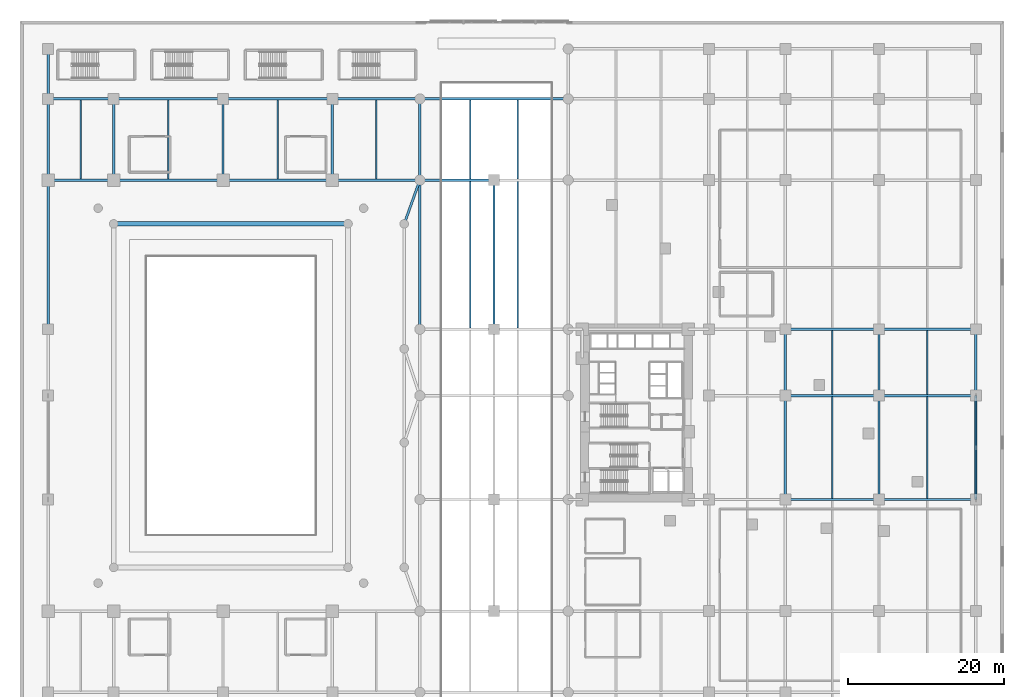
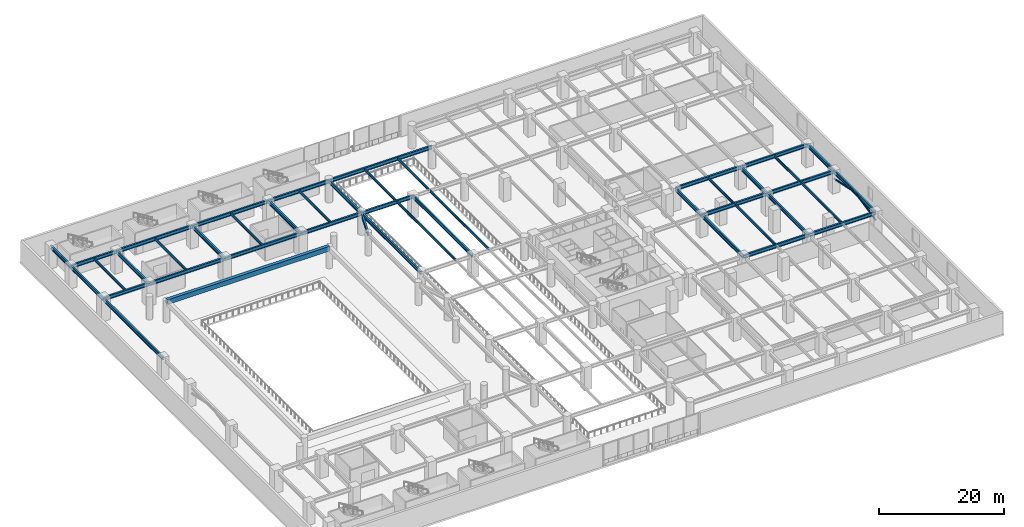
# One storey, part 6 of 32: 45 beams, 2 members.
"""IFC4 building model written with IfcOpenShell, lengths in metres."""

from ifc_helpers import new_model, si_unit, direction, frame, origin, origin_2d, place, context, subcontext, project, spatial, rectangle, hollow_circle, i_section, extrude, material, material_profile, profile_set, type_object, element, save


model = new_model("IFC4")

# Units and contexts
model_context = context("Model", 3, precision=1e-05, world=origin(), true_north=direction((0.0, 1.0)))
body_context = subcontext(model_context, "Body", "Model", "MODEL_VIEW")
ifc_project = project(units=[si_unit("LENGTHUNIT", "METRE"), si_unit("AREAUNIT", "SQUARE_METRE"), si_unit("VOLUMEUNIT", "CUBIC_METRE"), si_unit("PLANEANGLEUNIT", "RADIAN"), si_unit("MASSUNIT", "GRAM", prefix="KILO")], contexts=[model_context])

# Site, building, storey
site_placement = place(None, origin())
site = spatial("IfcSite", under=ifc_project, at=site_placement, CompositionType="ELEMENT")
building_placement = place(site_placement, origin())
building = spatial("IfcBuilding", under=site, at=building_placement, Name="Narakoshi Arena Tower", CompositionType="ELEMENT")
storey_placement = place(building_placement, frame((0.0, 0.0, 4.5)))
storey = spatial("IfcBuildingStorey", under=building, at=storey_placement, Name="L01", CompositionType="ELEMENT", Elevation=4.5)

# Beams
ifc_material_1 = material(Name="Structural steel S355J2", Category="steel")
ifc_material_profile_1 = material_profile(ifc_material_1, i_section(OverallWidth=0.300048828125, OverallDepth=0.699951171875, WebThickness=0.01708984375, FlangeThickness=0.031982421875, FilletRadius=0.027099609375, at=origin_2d()), Name="HE700B")
ifc_profile_set_1 = profile_set([ifc_material_profile_1], Name="Structural steel S355J2")
beam_type_1 = type_object("IfcBeamType", Name="BM-PRI-700", PredefinedType="BEAM", material=ifc_profile_set_1)
beam_1_placement = place(storey_placement, frame((49.199951171875, 70.0, 3.830078125), z_axis=(0.336331195321, 0.94174376932, 0.0), x_axis=(-0.94174376932, 0.336331195321, 0.0)))
element("IfcBeam", 1, at=beam_1_placement, inside=storey, type_object=beam_type_1, Name="L01 Arena Foyer Tie Beam 04", PredefinedType="BEAM", context=body_context, shape_type="SweptSolid", body=[
    extrude(i_section(OverallWidth=0.300048828125, OverallDepth=0.699951171875, WebThickness=0.01708984375, FlangeThickness=0.031982421875, FilletRadius=0.027099609375, at=origin_2d()), origin(), (0.0, 0.0, 1.0), 5.946533203125),
])
beam_2_placement = place(storey_placement, frame((98.0, 34.699951171875, 3.830078125), z_axis=(1.0, 0.0, 0.0), x_axis=(0.0, 1.0, 0.0)))
element("IfcBeam", 2, at=beam_2_placement, inside=storey, type_object=beam_type_1, Name="L01 Podium Primary X-Girder 029", PredefinedType="BEAM", context=body_context, shape_type="SweptSolid", body=[
    extrude(i_section(OverallWidth=0.300048828125, OverallDepth=0.699951171875, WebThickness=0.01708984375, FlangeThickness=0.031982421875, FilletRadius=0.027099609375, at=origin_2d()), origin(), (0.0, 0.0, 1.0), 12.0),
])
beam_3_placement = place(storey_placement, frame((110.0, 34.699951171875, 3.830078125), z_axis=(1.0, 0.0, 0.0), x_axis=(0.0, 1.0, 0.0)))
element("IfcBeam", 3, at=beam_3_placement, inside=storey, type_object=beam_type_1, Name="L01 Podium Primary X-Girder 030", PredefinedType="BEAM", context=body_context, shape_type="SweptSolid", body=[
    extrude(i_section(OverallWidth=0.300048828125, OverallDepth=0.699951171875, WebThickness=0.01708984375, FlangeThickness=0.031982421875, FilletRadius=0.027099609375, at=origin_2d()), origin(), (0.0, 0.0, 1.0), 12.39990234375),
])
beam_4_placement = place(storey_placement, frame((98.0, 48.0, 3.830078125), z_axis=(1.0, 0.0, 0.0), x_axis=(0.0, 1.0, 0.0)))
element("IfcBeam", 4, at=beam_4_placement, inside=storey, type_object=beam_type_1, Name="L01 Podium Primary X-Girder 033", PredefinedType="BEAM", context=body_context, shape_type="SweptSolid", body=[
    extrude(i_section(OverallWidth=0.300048828125, OverallDepth=0.699951171875, WebThickness=0.01708984375, FlangeThickness=0.031982421875, FilletRadius=0.027099609375, at=origin_2d()), origin(), (0.0, 0.0, 1.0), 12.0),
])
beam_5_placement = place(storey_placement, frame((110.0, 48.0, 3.830078125), z_axis=(1.0, 0.0, 0.0), x_axis=(0.0, 1.0, 0.0)))
element("IfcBeam", 5, at=beam_5_placement, inside=storey, type_object=beam_type_1, Name="L01 Podium Primary X-Girder 034", PredefinedType="BEAM", context=body_context, shape_type="SweptSolid", body=[
    extrude(i_section(OverallWidth=0.300048828125, OverallDepth=0.699951171875, WebThickness=0.01708984375, FlangeThickness=0.031982421875, FilletRadius=0.027099609375, at=origin_2d()), origin(), (0.0, 0.0, 1.0), 12.39990234375),
])
beam_6_placement = place(storey_placement, frame((98.0, 56.5, 3.830078125), z_axis=(1.0, 0.0, 0.0), x_axis=(0.0, 1.0, 0.0)))
element("IfcBeam", 6, at=beam_6_placement, inside=storey, type_object=beam_type_1, Name="L01 Podium Primary X-Girder 041", PredefinedType="BEAM", context=body_context, shape_type="SweptSolid", body=[
    extrude(i_section(OverallWidth=0.300048828125, OverallDepth=0.699951171875, WebThickness=0.01708984375, FlangeThickness=0.031982421875, FilletRadius=0.027099609375, at=origin_2d()), origin(), (0.0, 0.0, 1.0), 12.0),
])
beam_7_placement = place(storey_placement, frame((110.0, 56.5, 3.830078125), z_axis=(1.0, 0.0, 0.0), x_axis=(0.0, 1.0, 0.0)))
element("IfcBeam", 7, at=beam_7_placement, inside=storey, type_object=beam_type_1, Name="L01 Podium Primary X-Girder 042", PredefinedType="BEAM", context=body_context, shape_type="SweptSolid", body=[
    extrude(i_section(OverallWidth=0.300048828125, OverallDepth=0.699951171875, WebThickness=0.01708984375, FlangeThickness=0.031982421875, FilletRadius=0.027099609375, at=origin_2d()), origin(), (0.0, 0.0, 1.0), 12.39990234375),
])
beam_8_placement = place(storey_placement, frame((3.60009765625, 75.60009765625, 3.830078125), z_axis=(1.0, 0.0, 0.0), x_axis=(0.0, 1.0, 0.0)))
element("IfcBeam", 8, at=beam_8_placement, inside=storey, type_object=beam_type_1, Name="L01 Podium Primary X-Girder 043", PredefinedType="BEAM", context=body_context, shape_type="SweptSolid", body=[
    extrude(i_section(OverallWidth=0.300048828125, OverallDepth=0.699951171875, WebThickness=0.01708984375, FlangeThickness=0.031982421875, FilletRadius=0.027099609375, at=origin_2d()), origin(), (0.0, 0.0, 1.0), 8.39990234375),
])
for number, where, z_axis, x_axis, name in (
    (9, (12.0, 75.60009765625, 3.830078125), (1.0, 0.0, 0.0), (0.0, 1.0, 0.0), "L01 Podium Primary X-Girder 044"),
    (10, (26.0, 75.60009765625, 3.830078125), (1.0, 0.0, 0.0), (0.0, 1.0, 0.0), "L01 Podium Primary X-Girder 045"),
):
    element("IfcBeam", number, at=place(storey_placement, frame(where, z_axis=z_axis, x_axis=x_axis)), inside=storey, type_object=beam_type_1, Name=name, PredefinedType="BEAM", context=body_context, shape_type="SweptSolid", body=[
        extrude(i_section(OverallWidth=0.300048828125, OverallDepth=0.699951171875, WebThickness=0.01708984375, FlangeThickness=0.031982421875, FilletRadius=0.027099609375, at=origin_2d()), origin(), (0.0, 0.0, 1.0), 14.0),
    ])
beam_9_placement = place(storey_placement, frame((40.0, 75.60009765625, 3.830078125), z_axis=(1.0, 0.0, 0.0), x_axis=(0.0, 1.0, 0.0)))
element("IfcBeam", 11, at=beam_9_placement, inside=storey, type_object=beam_type_1, Name="L01 Podium Primary X-Girder 046", PredefinedType="BEAM", context=body_context, shape_type="SweptSolid", body=[
    extrude(i_section(OverallWidth=0.300048828125, OverallDepth=0.699951171875, WebThickness=0.01708984375, FlangeThickness=0.031982421875, FilletRadius=0.027099609375, at=origin_2d()), origin(), (0.0, 0.0, 1.0), 11.199951171875),
])
beam_10_placement = place(storey_placement, frame((51.199951171875, 75.60009765625, 3.830078125), z_axis=(1.0, 0.0, 0.0), x_axis=(0.0, 1.0, 0.0)))
element("IfcBeam", 12, at=beam_10_placement, inside=storey, type_object=beam_type_1, Name="L01 Podium Primary X-Girder 047", PredefinedType="BEAM", context=body_context, shape_type="SweptSolid", body=[
    extrude(i_section(OverallWidth=0.300048828125, OverallDepth=0.699951171875, WebThickness=0.01708984375, FlangeThickness=0.031982421875, FilletRadius=0.027099609375, at=origin_2d()), origin(), (0.0, 0.0, 1.0), 9.5),
])
beam_11_placement = place(storey_placement, frame((3.60009765625, 86.0, 3.830078125), z_axis=(1.0, 0.0, 0.0), x_axis=(0.0, 1.0, 0.0)))
element("IfcBeam", 13, at=beam_11_placement, inside=storey, type_object=beam_type_1, Name="L01 Podium Primary X-Girder 053", PredefinedType="BEAM", context=body_context, shape_type="SweptSolid", body=[
    extrude(i_section(OverallWidth=0.300048828125, OverallDepth=0.699951171875, WebThickness=0.01708984375, FlangeThickness=0.031982421875, FilletRadius=0.027099609375, at=origin_2d()), origin(), (0.0, 0.0, 1.0), 8.39990234375),
])
for number, where, z_axis, x_axis, name in (
    (14, (12.0, 86.0, 3.830078125), (1.0, 0.0, 0.0), (0.0, 1.0, 0.0), "L01 Podium Primary X-Girder 054"),
    (15, (26.0, 86.0, 3.830078125), (1.0, 0.0, 0.0), (0.0, 1.0, 0.0), "L01 Podium Primary X-Girder 055"),
):
    element("IfcBeam", number, at=place(storey_placement, frame(where, z_axis=z_axis, x_axis=x_axis)), inside=storey, type_object=beam_type_1, Name=name, PredefinedType="BEAM", context=body_context, shape_type="SweptSolid", body=[
        extrude(i_section(OverallWidth=0.300048828125, OverallDepth=0.699951171875, WebThickness=0.01708984375, FlangeThickness=0.031982421875, FilletRadius=0.027099609375, at=origin_2d()), origin(), (0.0, 0.0, 1.0), 14.0),
    ])
beam_12_placement = place(storey_placement, frame((40.0, 86.0, 3.830078125), z_axis=(1.0, 0.0, 0.0), x_axis=(0.0, 1.0, 0.0)))
element("IfcBeam", 16, at=beam_12_placement, inside=storey, type_object=beam_type_1, Name="L01 Podium Primary X-Girder 056", PredefinedType="BEAM", context=body_context, shape_type="SweptSolid", body=[
    extrude(i_section(OverallWidth=0.300048828125, OverallDepth=0.699951171875, WebThickness=0.01708984375, FlangeThickness=0.031982421875, FilletRadius=0.027099609375, at=origin_2d()), origin(), (0.0, 0.0, 1.0), 11.199951171875),
])
beam_13_placement = place(storey_placement, frame((51.199951171875, 86.0, 3.830078125), z_axis=(1.0, 0.0, 0.0), x_axis=(0.0, 1.0, 0.0)))
element("IfcBeam", 17, at=beam_13_placement, inside=storey, type_object=beam_type_1, Name="L01 Podium Primary X-Girder 057", PredefinedType="BEAM", context=body_context, shape_type="SweptSolid", body=[
    extrude(i_section(OverallWidth=0.300048828125, OverallDepth=0.699951171875, WebThickness=0.01708984375, FlangeThickness=0.031982421875, FilletRadius=0.027099609375, at=origin_2d()), origin(), (0.0, 0.0, 1.0), 19.0),
])
beam_14_placement = place(storey_placement, frame((3.60009765625, 56.5, 3.830078125), z_axis=(0.0, 1.0, 0.0), x_axis=(-1.0, 0.0, 0.0)))
element("IfcBeam", 18, at=beam_14_placement, inside=storey, type_object=beam_type_1, Name="L01 Podium Primary Y-Girder 071", PredefinedType="BEAM", context=body_context, shape_type="SweptSolid", body=[
    extrude(i_section(OverallWidth=0.300048828125, OverallDepth=0.699951171875, WebThickness=0.01708984375, FlangeThickness=0.031982421875, FilletRadius=0.027099609375, at=origin_2d()), origin(), (0.0, 0.0, 1.0), 19.10009765625),
])
beam_15_placement = place(storey_placement, frame((3.60009765625, 75.60009765625, 3.830078125), z_axis=(0.0, 1.0, 0.0), x_axis=(-1.0, 0.0, 0.0)))
element("IfcBeam", 19, at=beam_15_placement, inside=storey, type_object=beam_type_1, Name="L01 Podium Primary Y-Girder 072", PredefinedType="BEAM", context=body_context, shape_type="SweptSolid", body=[
    extrude(i_section(OverallWidth=0.300048828125, OverallDepth=0.699951171875, WebThickness=0.01708984375, FlangeThickness=0.031982421875, FilletRadius=0.027099609375, at=origin_2d()), origin(), (0.0, 0.0, 1.0), 10.39990234375),
])
beam_16_placement = place(storey_placement, frame((3.60009765625, 86.0, 3.830078125), z_axis=(0.0, 1.0, 0.0), x_axis=(-1.0, 0.0, 0.0)))
element("IfcBeam", 20, at=beam_16_placement, inside=storey, type_object=beam_type_1, Name="L01 Podium Primary Y-Girder 073", PredefinedType="BEAM", context=body_context, shape_type="SweptSolid", body=[
    extrude(i_section(OverallWidth=0.300048828125, OverallDepth=0.699951171875, WebThickness=0.01708984375, FlangeThickness=0.031982421875, FilletRadius=0.027099609375, at=origin_2d()), origin(), (0.0, 0.0, 1.0), 6.39990234375),
])
for number, where, z_axis, x_axis, name in (
    (21, (12.0, 75.60009765625, 3.830078125), (0.0, 1.0, 0.0), (-1.0, 0.0, 0.0), "L01 Podium Primary Y-Girder 075"),
    (22, (26.0, 75.60009765625, 3.830078125), (0.0, 1.0, 0.0), (-1.0, 0.0, 0.0), "L01 Podium Primary Y-Girder 077"),
    (23, (40.0, 75.60009765625, 3.830078125), (0.0, 1.0, 0.0), (-1.0, 0.0, 0.0), "L01 Podium Primary Y-Girder 079"),
):
    element("IfcBeam", number, at=place(storey_placement, frame(where, z_axis=z_axis, x_axis=x_axis)), inside=storey, type_object=beam_type_1, Name=name, PredefinedType="BEAM", context=body_context, shape_type="SweptSolid", body=[
        extrude(i_section(OverallWidth=0.300048828125, OverallDepth=0.699951171875, WebThickness=0.01708984375, FlangeThickness=0.031982421875, FilletRadius=0.027099609375, at=origin_2d()), origin(), (0.0, 0.0, 1.0), 10.39990234375),
    ])
beam_17_placement = place(storey_placement, frame((51.199951171875, 56.5, 3.830078125), z_axis=(0.0, 1.0, 0.0), x_axis=(-1.0, 0.0, 0.0)))
element("IfcBeam", 24, at=beam_17_placement, inside=storey, type_object=beam_type_1, Name="L01 Podium Primary Y-Girder 084", PredefinedType="BEAM", context=body_context, shape_type="SweptSolid", body=[
    extrude(i_section(OverallWidth=0.300048828125, OverallDepth=0.699951171875, WebThickness=0.01708984375, FlangeThickness=0.031982421875, FilletRadius=0.027099609375, at=origin_2d()), origin(), (0.0, 0.0, 1.0), 19.10009765625),
])
beam_18_placement = place(storey_placement, frame((51.199951171875, 75.60009765625, 3.830078125), z_axis=(0.0, 1.0, 0.0), x_axis=(-1.0, 0.0, 0.0)))
element("IfcBeam", 25, at=beam_18_placement, inside=storey, type_object=beam_type_1, Name="L01 Podium Primary Y-Girder 085", PredefinedType="BEAM", context=body_context, shape_type="SweptSolid", body=[
    extrude(i_section(OverallWidth=0.300048828125, OverallDepth=0.699951171875, WebThickness=0.01708984375, FlangeThickness=0.031982421875, FilletRadius=0.027099609375, at=origin_2d()), origin(), (0.0, 0.0, 1.0), 10.39990234375),
])
beam_19_placement = place(storey_placement, frame((60.699951171875, 56.5, 3.830078125), z_axis=(0.0, 1.0, 0.0), x_axis=(-1.0, 0.0, 0.0)))
element("IfcBeam", 26, at=beam_19_placement, inside=storey, type_object=beam_type_1, Name="L01 Podium Primary Y-Girder 088", PredefinedType="BEAM", context=body_context, shape_type="SweptSolid", body=[
    extrude(i_section(OverallWidth=0.300048828125, OverallDepth=0.699951171875, WebThickness=0.01708984375, FlangeThickness=0.031982421875, FilletRadius=0.027099609375, at=origin_2d()), origin(), (0.0, 0.0, 1.0), 19.10009765625),
])
beam_20_placement = place(storey_placement, frame((98.0, 34.699951171875, 3.830078125), z_axis=(0.0, 1.0, 0.0), x_axis=(-1.0, 0.0, 0.0)))
element("IfcBeam", 27, at=beam_20_placement, inside=storey, type_object=beam_type_1, Name="L01 Podium Primary Y-Girder 109", PredefinedType="BEAM", context=body_context, shape_type="SweptSolid", body=[
    extrude(i_section(OverallWidth=0.300048828125, OverallDepth=0.699951171875, WebThickness=0.01708984375, FlangeThickness=0.031982421875, FilletRadius=0.027099609375, at=origin_2d()), origin(), (0.0, 0.0, 1.0), 13.300048828125),
])
beam_21_placement = place(storey_placement, frame((98.0, 48.0, 3.830078125), z_axis=(0.0, 1.0, 0.0), x_axis=(-1.0, 0.0, 0.0)))
element("IfcBeam", 28, at=beam_21_placement, inside=storey, type_object=beam_type_1, Name="L01 Podium Primary Y-Girder 110", PredefinedType="BEAM", context=body_context, shape_type="SweptSolid", body=[
    extrude(i_section(OverallWidth=0.300048828125, OverallDepth=0.699951171875, WebThickness=0.01708984375, FlangeThickness=0.031982421875, FilletRadius=0.027099609375, at=origin_2d()), origin(), (0.0, 0.0, 1.0), 8.5),
])
beam_22_placement = place(storey_placement, frame((110.0, 34.699951171875, 3.830078125), z_axis=(0.0, 1.0, 0.0), x_axis=(-1.0, 0.0, 0.0)))
element("IfcBeam", 29, at=beam_22_placement, inside=storey, type_object=beam_type_1, Name="L01 Podium Primary Y-Girder 117", PredefinedType="BEAM", context=body_context, shape_type="SweptSolid", body=[
    extrude(i_section(OverallWidth=0.300048828125, OverallDepth=0.699951171875, WebThickness=0.01708984375, FlangeThickness=0.031982421875, FilletRadius=0.027099609375, at=origin_2d()), origin(), (0.0, 0.0, 1.0), 13.300048828125),
])
beam_23_placement = place(storey_placement, frame((110.0, 48.0, 3.830078125), z_axis=(0.0, 1.0, 0.0), x_axis=(-1.0, 0.0, 0.0)))
element("IfcBeam", 30, at=beam_23_placement, inside=storey, type_object=beam_type_1, Name="L01 Podium Primary Y-Girder 118", PredefinedType="BEAM", context=body_context, shape_type="SweptSolid", body=[
    extrude(i_section(OverallWidth=0.300048828125, OverallDepth=0.699951171875, WebThickness=0.01708984375, FlangeThickness=0.031982421875, FilletRadius=0.027099609375, at=origin_2d()), origin(), (0.0, 0.0, 1.0), 8.5),
])
beam_24_placement = place(storey_placement, frame((122.39990234375, 34.699951171875, 3.830078125), z_axis=(0.0, 1.0, 0.0), x_axis=(-1.0, 0.0, 0.0)))
element("IfcBeam", 31, at=beam_24_placement, inside=storey, type_object=beam_type_1, Name="L01 Podium Primary Y-Girder 125", PredefinedType="BEAM", context=body_context, shape_type="SweptSolid", body=[
    extrude(i_section(OverallWidth=0.300048828125, OverallDepth=0.699951171875, WebThickness=0.01708984375, FlangeThickness=0.031982421875, FilletRadius=0.027099609375, at=origin_2d()), origin(), (0.0, 0.0, 1.0), 13.300048828125),
])
beam_25_placement = place(storey_placement, frame((122.39990234375, 48.0, 3.830078125), z_axis=(0.0, 1.0, 0.0), x_axis=(-1.0, 0.0, 0.0)))
element("IfcBeam", 32, at=beam_25_placement, inside=storey, type_object=beam_type_1, Name="L01 Podium Primary Y-Girder 126", PredefinedType="BEAM", context=body_context, shape_type="SweptSolid", body=[
    extrude(i_section(OverallWidth=0.300048828125, OverallDepth=0.699951171875, WebThickness=0.01708984375, FlangeThickness=0.031982421875, FilletRadius=0.027099609375, at=origin_2d()), origin(), (0.0, 0.0, 1.0), 8.5),
])
ifc_material_2 = material(Name="Concrete C50/60", Category="concrete")
ifc_material_profile_2 = material_profile(ifc_material_2, rectangle(XDim=0.60009765625, YDim=0.89990234375, at=origin_2d()), Name="RCB600x900")
ifc_profile_set_2 = profile_set([ifc_material_profile_2], Name="Concrete C50/60")
beam_type_2 = type_object("IfcBeamType", Name="BM-RC-900", PredefinedType="BEAM", material=ifc_profile_set_2)
beam_26_placement = place(storey_placement, frame((42.0, 70.0, 3.77001953125), z_axis=(-1.0, 0.0, 0.0), x_axis=(0.0, -1.0, 0.0)))
element("IfcBeam", 33, at=beam_26_placement, inside=storey, type_object=beam_type_2, Name="L01 Arena Bowl Concrete Ring Beam 3", PredefinedType="BEAM", context=body_context, shape_type="SweptSolid", body=[
    extrude(rectangle(XDim=0.60009765625, YDim=0.89990234375, at=origin_2d()), origin(), (0.0, 0.0, 1.0), 30.0),
])
ifc_material_profile_3 = material_profile(ifc_material_1, i_section(OverallWidth=0.199951171875, OverallDepth=0.5, WebThickness=0.01025390625, FlangeThickness=0.01611328125, FilletRadius=0.02099609375, at=origin_2d()), Name="IPE500")
ifc_profile_set_3 = profile_set([ifc_material_profile_3], Name="Structural steel S355J2")
beam_type_3 = type_object("IfcBeamType", Name="BM-SEC-500", PredefinedType="JOIST", material=ifc_profile_set_3)
for number, where, z_axis, x_axis, name in (
    (34, (7.800048828125, 75.735107421875, 3.929931640625), (0.0, 1.0, 0.0), (-1.0, 0.0, 0.0), "L01 Podium Composite Floor Joist 002"),
    (35, (19.0, 75.735107421875, 3.929931640625), (0.0, 1.0, 0.0), (-1.0, 0.0, 0.0), "L01 Podium Composite Floor Joist 004"),
    (36, (33.0, 75.735107421875, 3.929931640625), (0.0, 1.0, 0.0), (-1.0, 0.0, 0.0), "L01 Podium Composite Floor Joist 006"),
    (37, (45.60009765625, 75.735107421875, 3.929931640625), (0.0, 1.0, 0.0), (-1.0, 0.0, 0.0), "L01 Podium Composite Floor Joist 008"),
):
    element("IfcBeam", number, at=place(storey_placement, frame(where, z_axis=z_axis, x_axis=x_axis)), inside=storey, type_object=beam_type_3, Name=name, PredefinedType="JOIST", context=body_context, shape_type="SweptSolid", body=[
        extrude(i_section(OverallWidth=0.199951171875, OverallDepth=0.5, WebThickness=0.01025390625, FlangeThickness=0.01611328125, FilletRadius=0.02099609375, at=origin_2d()), origin(), (0.0, 0.0, 1.0), 10.1298828125),
    ])
beam_27_placement = place(storey_placement, frame((57.659912109375, 56.635009765625, 3.929931640625), z_axis=(0.0, 1.0, 0.0), x_axis=(-1.0, 0.0, 0.0)))
element("IfcBeam", 38, at=beam_27_placement, inside=storey, type_object=beam_type_3, Name="L01 Podium Composite Floor Joist 013", PredefinedType="JOIST", context=body_context, shape_type="SweptSolid", body=[
    extrude(i_section(OverallWidth=0.199951171875, OverallDepth=0.5, WebThickness=0.01025390625, FlangeThickness=0.01611328125, FilletRadius=0.02099609375, at=origin_2d()), origin(), (0.0, 0.0, 1.0), 18.830078125),
])
beam_28_placement = place(storey_placement, frame((57.659912109375, 75.735107421875, 3.929931640625), z_axis=(0.0, 1.0, 0.0), x_axis=(-1.0, 0.0, 0.0)))
element("IfcBeam", 39, at=beam_28_placement, inside=storey, type_object=beam_type_3, Name="L01 Podium Composite Floor Joist 014", PredefinedType="JOIST", context=body_context, shape_type="SweptSolid", body=[
    extrude(i_section(OverallWidth=0.199951171875, OverallDepth=0.5, WebThickness=0.01025390625, FlangeThickness=0.01611328125, FilletRadius=0.02099609375, at=origin_2d()), origin(), (0.0, 0.0, 1.0), 10.1298828125),
])
beam_29_placement = place(storey_placement, frame((63.739990234375, 56.635009765625, 3.929931640625), z_axis=(0.0, 1.0, 0.0), x_axis=(-1.0, 0.0, 0.0)))
element("IfcBeam", 40, at=beam_29_placement, inside=storey, type_object=beam_type_3, Name="L01 Podium Composite Floor Joist 019", PredefinedType="JOIST", context=body_context, shape_type="SweptSolid", body=[
    extrude(i_section(OverallWidth=0.199951171875, OverallDepth=0.5, WebThickness=0.01025390625, FlangeThickness=0.01611328125, FilletRadius=0.02099609375, at=origin_2d()), origin(), (0.0, 0.0, 1.0), 18.830078125),
])
beam_30_placement = place(storey_placement, frame((63.739990234375, 75.735107421875, 3.929931640625), z_axis=(0.0, 1.0, 0.0), x_axis=(-1.0, 0.0, 0.0)))
element("IfcBeam", 41, at=beam_30_placement, inside=storey, type_object=beam_type_3, Name="L01 Podium Composite Floor Joist 020", PredefinedType="JOIST", context=body_context, shape_type="SweptSolid", body=[
    extrude(i_section(OverallWidth=0.199951171875, OverallDepth=0.5, WebThickness=0.01025390625, FlangeThickness=0.01611328125, FilletRadius=0.02099609375, at=origin_2d()), origin(), (0.0, 0.0, 1.0), 10.1298828125),
])
beam_31_placement = place(storey_placement, frame((104.0, 34.8349609375, 3.929931640625), z_axis=(0.0, 1.0, 0.0), x_axis=(-1.0, 0.0, 0.0)))
element("IfcBeam", 42, at=beam_31_placement, inside=storey, type_object=beam_type_3, Name="L01 Podium Composite Floor Joist 042", PredefinedType="JOIST", context=body_context, shape_type="SweptSolid", body=[
    extrude(i_section(OverallWidth=0.199951171875, OverallDepth=0.5, WebThickness=0.01025390625, FlangeThickness=0.01611328125, FilletRadius=0.02099609375, at=origin_2d()), origin(), (0.0, 0.0, 1.0), 13.030029296875),
])
beam_32_placement = place(storey_placement, frame((104.0, 48.135009765625, 3.929931640625), z_axis=(0.0, 1.0, 0.0), x_axis=(-1.0, 0.0, 0.0)))
element("IfcBeam", 43, at=beam_32_placement, inside=storey, type_object=beam_type_3, Name="L01 Podium Composite Floor Joist 043", PredefinedType="JOIST", context=body_context, shape_type="SweptSolid", body=[
    extrude(i_section(OverallWidth=0.199951171875, OverallDepth=0.5, WebThickness=0.01025390625, FlangeThickness=0.01611328125, FilletRadius=0.02099609375, at=origin_2d()), origin(), (0.0, 0.0, 1.0), 8.22998046875),
])
beam_33_placement = place(storey_placement, frame((116.199951171875, 34.8349609375, 3.929931640625), z_axis=(0.0, 1.0, 0.0), x_axis=(-1.0, 0.0, 0.0)))
element("IfcBeam", 44, at=beam_33_placement, inside=storey, type_object=beam_type_3, Name="L01 Podium Composite Floor Joist 050", PredefinedType="JOIST", context=body_context, shape_type="SweptSolid", body=[
    extrude(i_section(OverallWidth=0.199951171875, OverallDepth=0.5, WebThickness=0.01025390625, FlangeThickness=0.01611328125, FilletRadius=0.02099609375, at=origin_2d()), origin(), (0.0, 0.0, 1.0), 13.030029296875),
])
beam_34_placement = place(storey_placement, frame((116.199951171875, 48.135009765625, 3.929931640625), z_axis=(0.0, 1.0, 0.0), x_axis=(-1.0, 0.0, 0.0)))
element("IfcBeam", 45, at=beam_34_placement, inside=storey, type_object=beam_type_3, Name="L01 Podium Composite Floor Joist 051", PredefinedType="JOIST", context=body_context, shape_type="SweptSolid", body=[
    extrude(i_section(OverallWidth=0.199951171875, OverallDepth=0.5, WebThickness=0.01025390625, FlangeThickness=0.01611328125, FilletRadius=0.02099609375, at=origin_2d()), origin(), (0.0, 0.0, 1.0), 8.22998046875),
])

# Members
ifc_material_profile_4 = material_profile(ifc_material_1, hollow_circle(Radius=0.161865234375, WallThickness=0.012451171875, at=origin_2d()), Name="CHS323x12")
ifc_profile_set_4 = profile_set([ifc_material_profile_4], Name="Structural steel S355J2")
member_type = type_object("IfcMemberType", Name="MEM-BR-323", PredefinedType="BRACE", material=ifc_profile_set_4)
member_1_placement = place(storey_placement, frame((122.39990234375, 34.699951171875, 2.39990234375), z_axis=(0.0, 0.977647200704, 0.210252112843), x_axis=(-1.0, 0.0, 0.0)))
element("IfcMember", 46, at=member_1_placement, inside=storey, type_object=member_type, Name="L01 Podium Lateral Brace 2A", PredefinedType="BRACE", context=body_context, shape_type="SweptSolid", body=[
    extrude(hollow_circle(Radius=0.161865234375, WallThickness=0.012451171875, at=origin_2d()), origin(), (0.0, 0.0, 1.0), 6.80224609375),
])
member_2_placement = place(storey_placement, frame((122.39990234375, 48.0, 2.39990234375), z_axis=(0.0, -0.977645614005, 0.210259490669), x_axis=(1.0, 0.0, 0.0)))
element("IfcMember", 47, at=member_2_placement, inside=storey, type_object=member_type, Name="L01 Podium Lateral Brace 2B", PredefinedType="BRACE", context=body_context, shape_type="SweptSolid", body=[
    extrude(hollow_circle(Radius=0.161865234375, WallThickness=0.012451171875, at=origin_2d()), origin(), (0.0, 0.0, 1.0), 6.802001953125),
])

save(model, "model.ifc")
